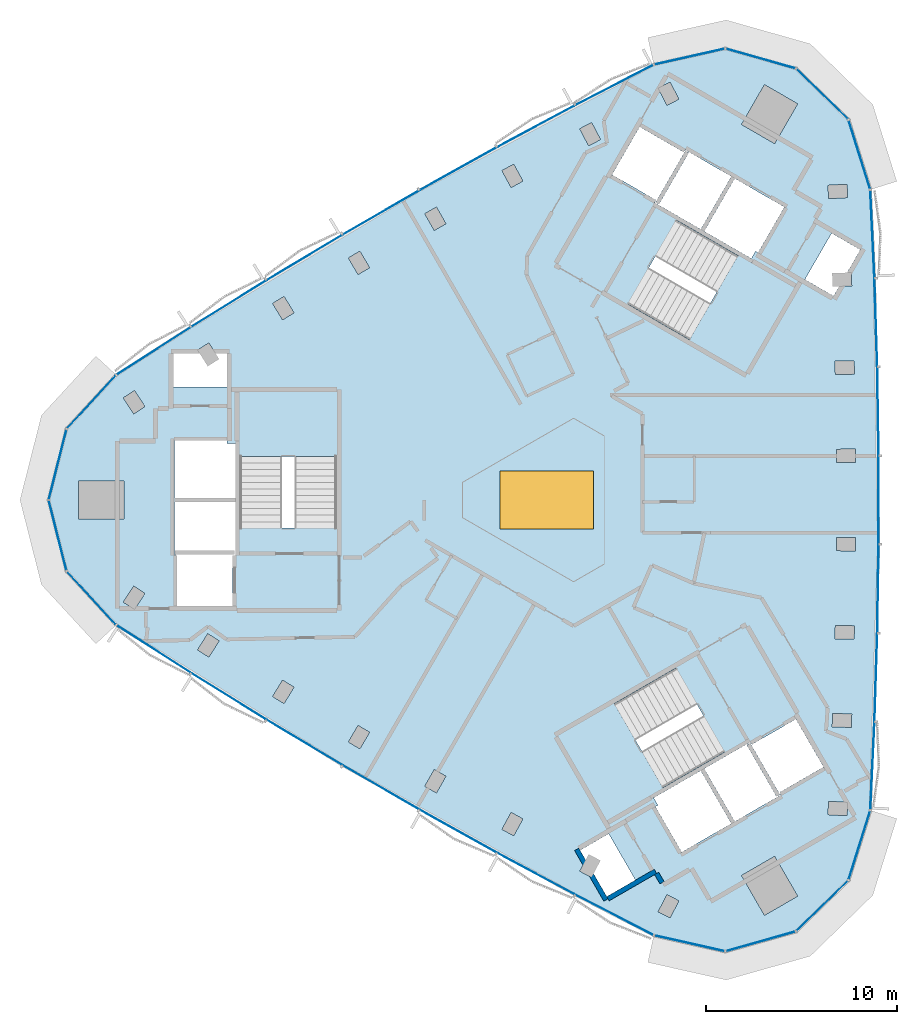
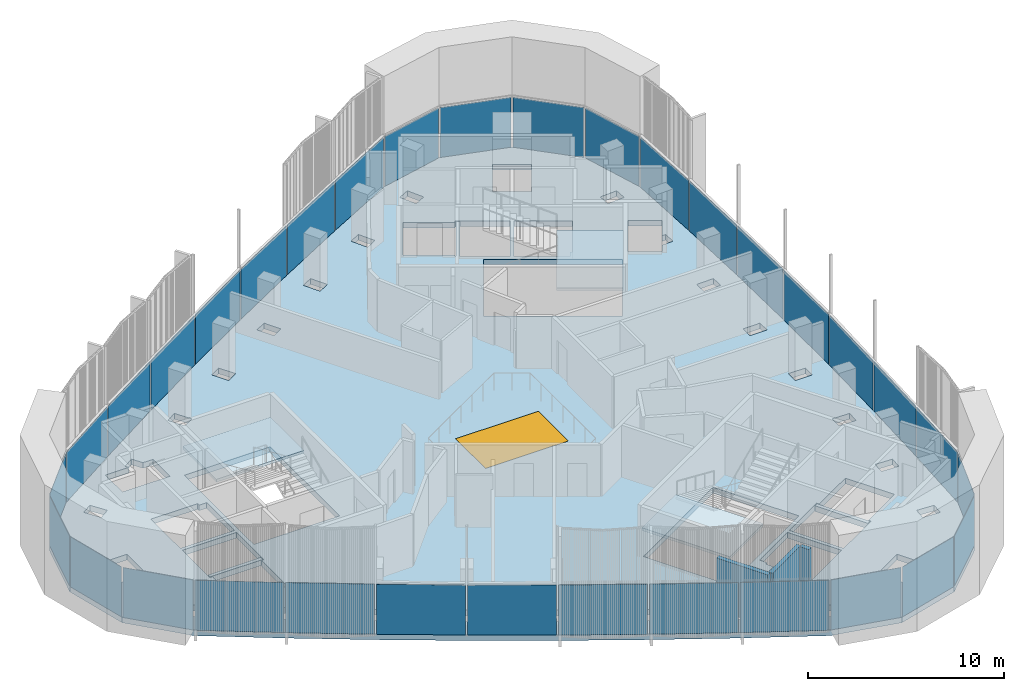
# One storey, part 5 of 12: 33 plates, 4 slabs, 3 walls, 1 window, 1 opening, 6 elements without a shape of their own.
"""IFC4 building model written with IfcOpenShell, lengths in metres."""

from ifc_helpers import new_model, si_unit, direction, frame, frame_2d, origin, origin_2d, place, context, subcontext, project, spatial, polyline, rectangle, outline, extrude, material, layer, layer_set, type_object, element, fill, aggregate, save


model = new_model("IFC4")

# Units and contexts
model_context = context("Model", 3, precision=1e-05, world=origin(), true_north=direction((0.0, 1.0)))
body_context = subcontext(model_context, "Body", "Model", "MODEL_VIEW")
ifc_project = project(units=[si_unit("LENGTHUNIT", "METRE"), si_unit("AREAUNIT", "SQUARE_METRE"), si_unit("VOLUMEUNIT", "CUBIC_METRE"), si_unit("PLANEANGLEUNIT", "RADIAN"), si_unit("MASSUNIT", "GRAM", prefix="KILO")], contexts=[model_context])

# Site, building, storey
site_placement = place(None, origin())
site = spatial("IfcSite", under=ifc_project, at=site_placement, CompositionType="ELEMENT")
building_placement = place(site_placement, origin())
building = spatial("IfcBuilding", under=site, at=building_placement, Name="Tamra Quay Hotel Tower", CompositionType="ELEMENT")
storey_placement = place(building_placement, frame((0.0, 0.0, 262.199951171875)))
storey = spatial("IfcBuildingStorey", under=building, at=storey_placement, Name="L66", CompositionType="ELEMENT", Elevation=262.199951171875)

# Stair, slab
ifc_material_1 = material(Name="Exit stair 2200 24 risers 150.0 going 342")
stair_type = type_object("IfcStairType", Name="Exit stair 2200 24 risers 150.0 going 342", PredefinedType="HALF_TURN_STAIR", material=ifc_material_1)
stair_1_placement = place(storey_placement, origin())
stair_1 = element("IfcStair", 1, at=stair_1_placement, inside=storey, type_object=stair_type, Name="L66 Exit stair ST3", PredefinedType="HALF_TURN_STAIR")
ifc_material_2 = material(Name="Concrete M70", Category="concrete")
ifc_layer_1 = layer(ifc_material_2, 0.175048828125)
ifc_layer_set_1 = layer_set([ifc_layer_1], Name="Concrete M70 stair landing 180")
slab_type_1 = type_object("IfcSlabType", Name="Concrete M70 stair landing 180", PredefinedType="LANDING", material=ifc_layer_set_1)
slab_1_placement = place(storey_placement, frame((0.0, 0.0, 1.625)))
slab_1 = element("IfcSlab", 2, at=slab_1_placement, type_object=slab_type_1, Name="ST3 landing 1", PredefinedType="LANDING", context=body_context, shape_type="SweptSolid", body=[
    extrude(outline(polyline([(-10.932373046875, 2.261962890625), (-10.932373046875, 5.679931640625), (-16.09130859375, 5.679931640625), (-16.09130859375, 2.261962890625), (-10.932373046875, 2.261962890625)])), origin(), (0.0, 0.0, 1.0), 0.175048828125),
])
aggregate(stair_1, [slab_1])

stair_2_placement = place(storey_placement, origin())
stair_2 = element("IfcStair", 3, at=stair_2_placement, inside=storey, type_object=stair_type, Name="L66 Exit stair ST1", PredefinedType="HALF_TURN_STAIR")
slab_2_placement = place(storey_placement, frame((0.0, 0.0, 1.625)))
slab_2 = element("IfcSlab", 4, at=slab_2_placement, type_object=slab_type_1, Name="ST1 landing 1", PredefinedType="LANDING", context=body_context, shape_type="SweptSolid", body=[
    extrude(outline(polyline([(7.425048828125, 8.336669921875), (10.385009765625, 6.627685546875), (12.964599609375, 11.095458984375), (10.00439453125, 12.804443359375), (7.425048828125, 8.336669921875)])), origin(), (0.0, 0.0, 1.0), 0.175048828125),
])
aggregate(stair_2, [slab_2])

stair_3_placement = place(storey_placement, origin())
stair_3 = element("IfcStair", 5, at=stair_3_placement, inside=storey, type_object=stair_type, Name="L66 Exit stair ST2", PredefinedType="HALF_TURN_STAIR")
slab_3_placement = place(storey_placement, frame((0.0, 0.0, 1.625)))
slab_3 = element("IfcSlab", 6, at=slab_3_placement, type_object=slab_type_1, Name="ST2 landing 1", PredefinedType="LANDING", context=body_context, shape_type="SweptSolid", body=[
    extrude(outline(polyline([(3.50732421875, -10.5986328125), (0.547119140625, -12.3076171875), (3.126708984375, -16.775390625), (6.086669921875, -15.06640625), (3.50732421875, -10.5986328125)])), origin(), (0.0, 0.0, 1.0), 0.175048828125),
])
aggregate(stair_3, [slab_3])

# Slab, opening, window
ifc_material_3 = material(Name="Concrete M60", Category="concrete")
ifc_layer_2 = layer(ifc_material_3, 0.35009765625)
ifc_layer_set_2 = layer_set([ifc_layer_2], Name="FLOOR SLAB PT 350")
slab_type_2 = type_object("IfcSlabType", Name="FLOOR SLAB PT 350", PredefinedType="FLOOR", material=ifc_layer_set_2)
slab_4_placement = place(storey_placement, frame((0.0, 0.0, -0.349853515625)))
slab_4 = element("IfcSlab", 7, at=slab_4_placement, inside=storey, type_object=slab_type_2, Name="SLAB-L66", PredefinedType="FLOOR", context=body_context, shape_type="SweptSolid", body=[
    extrude(outline(polyline([(17.116943359375, 11.580810546875), (17.26171875, 6.9501953125), (17.333984375, 2.31689453125), (17.333984375, -2.31689453125), (17.26171875, -6.9501953125), (17.116943359375, -11.580810546875), (16.89990234375, -16.210205078125), (15.757080078125, -19.865966796875), (13.01171875, -22.536865234375), (9.325927734375, -23.5791015625), (5.58837890625, -22.740966796875), (1.470947265625, -20.614013671875), (-2.61181640625, -18.42431640625), (-6.660400390625, -16.170166015625), (-10.673583984375, -13.853271484375), (-14.64990234375, -11.473876953125), (-18.587890625, -9.033203125), (-22.488525390625, -6.530517578125), (-25.0830078125, -3.712890625), (-26.0234375, 0.0), (-25.0830078125, 3.712890625), (-22.488525390625, 6.530517578125), (-18.587890625, 9.033203125), (-14.64990234375, 11.473876953125), (-10.673583984375, 13.853271484375), (-6.660400390625, 16.170166015625), (-2.61181640625, 18.42431640625), (1.470947265625, 20.614013671875), (5.58837890625, 22.740966796875), (9.325927734375, 23.5791015625), (13.01171875, 22.536865234375), (15.757080078125, 19.865966796875), (16.89990234375, 16.210205078125), (17.116943359375, 11.580810546875)]), holes=[polyline([(-10.3671875, -12.641357421875), (-9.763671875, -12.99609375), (-9.2568359375, -12.13427734375), (-9.8603515625, -11.779296875), (-10.3671875, -12.641357421875)]), polyline([(-14.324462890625, -10.26708984375), (-13.7265625, -10.63134765625), (-13.206298828125, -9.77734375), (-13.803955078125, -9.4130859375), (-14.324462890625, -10.26708984375)]), polyline([(-18.244140625, -7.831298828125), (-17.652099609375, -8.20458984375), (-17.118896484375, -7.358642578125), (-17.7109375, -6.9853515625), (-18.244140625, -7.831298828125)]), polyline([(-21.57861328125, -4.497314453125), (-22.125244140625, -5.33447265625), (-21.539306640625, -5.71728515625), (-20.992431640625, -4.880126953125), (-21.57861328125, -4.497314453125)]), polyline([(-16.3173828125, -2.85498046875), (-19.4072265625, -2.85498046875), (-19.4072265625, -2.89306640625), (-19.307373046875, -2.89306640625), (-19.307373046875, -5.544921875), (-16.417236328125, -5.544921875), (-16.417236328125, -2.89306640625), (-16.3173828125, -2.89306640625), (-16.3173828125, -2.85498046875)]), polyline([(-19.417236328125, -2.64501953125), (-16.307373046875, -2.64501953125), (-16.307373046875, -2.89306640625), (-16.26708984375, -2.89306640625), (-16.26708984375, -0.10498046875), (-19.45751953125, -0.10498046875), (-19.45751953125, -2.89306640625), (-19.417236328125, -2.89306640625), (-19.417236328125, -2.64501953125)]), polyline([(-24.473388671875, 1.0), (-24.473388671875, -1.0), (-22.073486328125, -1.0), (-22.073486328125, 1.0), (-24.473388671875, 1.0)]), polyline([(-16.707275390625, 2.945068359375), (-16.707275390625, 3.09521484375), (-19.45751953125, 3.09521484375), (-19.45751953125, 0.10498046875), (-16.26708984375, 0.10498046875), (-16.26708984375, 2.945068359375), (-16.707275390625, 2.945068359375)]), polyline([(-16.036376953125, -1.455078125), (-10.9873046875, -1.455078125), (-10.9873046875, 5.625), (-16.036376953125, 5.625), (-16.036376953125, -1.455078125)]), polyline([(-20.992431640625, 4.880126953125), (-21.539306640625, 5.71728515625), (-22.125244140625, 5.33447265625), (-21.57861328125, 4.497314453125), (-20.992431640625, 4.880126953125)]), polyline([(-17.29931640625, 7.64501953125), (-17.652099609375, 8.20458984375), (-18.244140625, 7.831298828125), (-18.126708984375, 7.64501953125), (-19.50732421875, 7.64501953125), (-19.50732421875, 5.9150390625), (-16.71728515625, 5.9150390625), (-16.71728515625, 7.64501953125), (-17.29931640625, 7.64501953125)]), polyline([(-13.7265625, 10.63134765625), (-14.324462890625, 10.26708984375), (-13.803955078125, 9.4130859375), (-13.206298828125, 9.77734375), (-13.7265625, 10.63134765625)]), polyline([(-9.2568359375, 12.13427734375), (-9.763671875, 12.99609375), (-10.3671875, 12.641357421875), (-9.8603515625, 11.779296875), (-9.2568359375, 12.13427734375)]), polyline([(6.27001953125, -20.6201171875), (5.818359375, -21.51220703125), (6.44287109375, -21.828369140625), (6.89453125, -20.936279296875), (6.27001953125, -20.6201171875)]), polyline([(1.73779296875, -18.300048828125), (2.02880859375, -18.80419921875), (1.720703125, -19.389404296875), (2.33984375, -19.715576171875), (2.442626953125, -19.520751953125), (3.1328125, -20.71630859375), (4.631103515625, -19.851318359375), (3.236083984375, -17.43505859375), (1.73779296875, -18.300048828125)]), polyline([(-1.864501953125, -16.32568359375), (-2.34375, -17.203369140625), (-1.7294921875, -17.538818359375), (-1.25, -16.6611328125), (-1.864501953125, -16.32568359375)]), polyline([(5.80322265625, -15.94140625), (5.673095703125, -16.0166015625), (7.04833984375, -18.398193359375), (9.6376953125, -16.903076171875), (8.042724609375, -14.14013671875), (5.5830078125, -15.560302734375), (5.80322265625, -15.94140625)]), polyline([(-5.880126953125, -14.083740234375), (-6.373291015625, -14.95361328125), (-5.764404296875, -15.298828125), (-5.271240234375, -14.428955078125), (-5.880126953125, -14.083740234375)]), polyline([(9.2783203125, -13.160400390625), (6.75390625, -8.78759765625), (0.622314453125, -12.32763671875), (3.146728515625, -16.7001953125), (9.2783203125, -13.160400390625)]), polyline([(4.2333984375, 10.242919921875), (10.364990234375, 6.702880859375), (12.889404296875, 11.075439453125), (6.758056640625, 14.615478515625), (4.2333984375, 10.242919921875)]), polyline([(-5.764404296875, 15.298828125), (-6.373291015625, 14.95361328125), (-5.880126953125, 14.083740234375), (-5.271240234375, 14.428955078125), (-5.764404296875, 15.298828125)]), polyline([(7.41796875, 18.138427734375), (5.863037109375, 15.445068359375), (5.648193359375, 15.569091796875), (5.628173828125, 15.5341796875), (8.04248046875, 14.140380859375), (9.6376953125, 16.903076171875), (7.22314453125, 18.297119140625), (7.203125, 18.262451171875), (7.41796875, 18.138427734375)]), polyline([(-1.25, 16.6611328125), (-1.7294921875, 17.538818359375), (-2.34375, 17.203369140625), (-1.864501953125, 16.32568359375), (-1.25, 16.6611328125)]), polyline([(5.68603515625, 15.55859375), (7.231201171875, 18.234619140625), (7.1982421875, 18.253662109375), (7.148193359375, 18.1669921875), (4.8515625, 19.4931640625), (3.406494140625, 16.990234375), (5.703125, 15.664306640625), (5.6533203125, 15.57763671875), (5.68603515625, 15.55859375)]), polyline([(2.33984375, 19.715576171875), (1.720703125, 19.389404296875), (2.186767578125, 18.504638671875), (2.805908203125, 18.830810546875), (2.33984375, 19.715576171875)]), polyline([(6.44287109375, 21.828369140625), (5.818359375, 21.51220703125), (6.27001953125, 20.6201171875), (6.89453125, 20.936279296875), (6.44287109375, 21.828369140625)]), polyline([(11.37060546875, -21.694580078125), (13.102783203125, -20.694580078125), (11.902587890625, -18.6162109375), (10.170654296875, -19.6162109375), (11.37060546875, -21.694580078125)]), polyline([(14.68408203125, -16.43896484375), (15.6826171875, -16.493896484375), (15.720947265625, -15.794921875), (14.722412109375, -15.739990234375), (14.68408203125, -16.43896484375)]), polyline([(12.214111328125, -15.369384765625), (11.999267578125, -15.493408203125), (10.4443359375, -12.800048828125), (10.6591796875, -12.676025390625), (10.63916015625, -12.64111328125), (8.224609375, -14.03515625), (9.819580078125, -16.798095703125), (12.234130859375, -15.404052734375), (12.214111328125, -15.369384765625)]), polyline([(12.176025390625, -15.379638671875), (12.208984375, -15.360595703125), (12.1591796875, -15.274169921875), (14.455810546875, -13.947998046875), (13.0107421875, -11.4453125), (10.714111328125, -12.771240234375), (10.6640625, -12.6845703125), (10.631103515625, -12.70361328125), (12.176025390625, -15.379638671875)]), polyline([(15.904296875, -11.88427734375), (15.931396484375, -11.184814453125), (14.93212890625, -11.14599609375), (14.905029296875, -11.845703125), (15.904296875, -11.88427734375)]), polyline([(16.0537109375, -7.271728515625), (16.0703125, -6.572021484375), (15.070556640625, -6.548095703125), (15.053955078125, -7.247802734375), (16.0537109375, -7.271728515625)]), polyline([(15.13134765625, -2.6494140625), (16.13134765625, -2.657470703125), (16.136962890625, -1.95751953125), (15.136962890625, -1.94970703125), (15.13134765625, -2.6494140625)]), polyline([(15.136962890625, 1.94970703125), (16.136962890625, 1.95751953125), (16.13134765625, 2.657470703125), (15.13134765625, 2.6494140625), (15.136962890625, 1.94970703125)]), polyline([(16.0703125, 6.572021484375), (16.0537109375, 7.271728515625), (15.053955078125, 7.247802734375), (15.070556640625, 6.548095703125), (16.0703125, 6.572021484375)]), polyline([(13.481201171875, 11.52001953125), (14.9794921875, 10.655029296875), (15.2705078125, 11.1591796875), (15.931396484375, 11.184814453125), (15.904296875, 11.88427734375), (15.68408203125, 11.875732421875), (16.37451171875, 13.0712890625), (14.876220703125, 13.936279296875), (13.481201171875, 11.52001953125)]), polyline([(10.904052734375, 12.996337890625), (11.0341796875, 12.92138671875), (12.4091796875, 15.302978515625), (9.819580078125, 16.798095703125), (8.224365234375, 14.035400390625), (10.68408203125, 12.615234375), (10.904052734375, 12.996337890625)]), polyline([(14.722412109375, 15.739990234375), (15.720947265625, 15.794921875), (15.6826171875, 16.493896484375), (14.68408203125, 16.43896484375), (14.722412109375, 15.739990234375)]), polyline([(11.902587890625, 18.6162109375), (13.102783203125, 20.694580078125), (11.37060546875, 21.694580078125), (10.170654296875, 19.6162109375), (11.902587890625, 18.6162109375)])]), origin(), (0.0, 0.0, 1.0), 0.349853515625),
])
opening_placement = place(slab_4_placement, origin())
opening = element("IfcOpeningElement", 8, at=opening_placement, cuts=slab_4, Name="Opening SK1-4880", PredefinedType="OPENING", context=body_context, shape_type="SweptSolid", body=[
    extrude(rectangle(XDim=4.8798828125, YDim=3.0400390625, at=origin_2d()), origin(), (0.0, 0.0, 1.0), 0.349853515625),
])
ifc_material_4 = material(Name="Fire-rated laminated glass in steel frame", Category="steel")
window_type = type_object("IfcWindowType", Name="ATRIUM SKYLIGHT 4880X3040", PartitioningType="SINGLE_PANEL", PredefinedType="SKYLIGHT", material=ifc_material_4)
window_placement = place(opening_placement, frame((0.0, 0.0, 0.2998046875)))
window = element("IfcWindow", 9, at=window_placement, inside=storey, type_object=window_type, Name="SK1-4880", OverallHeight=3.0400390625, OverallWidth=4.8798828125, PartitioningType="SINGLE_PANEL", PredefinedType="SKYLIGHT", context=body_context, shape_type="SweptSolid", body=[
    extrude(rectangle(XDim=4.8798828125, YDim=3.0400390625, at=origin_2d()), origin(), (0.0, 0.0, 1.0), 0.050048828125),
])
fill(opening, window)

# Curtain wall, plates
ifc_material_5 = material(Name="Aluminium 6063 anodised dark grey", Category="aluminium")
curtain_wall_type_1 = type_object("IfcCurtainWallType", Name="CW1 CURTAIN WALL", PredefinedType="NOTDEFINED", material=ifc_material_5)
curtain_wall_1_placement = place(storey_placement, origin())
curtain_wall_1 = element("IfcCurtainWall", 10, at=curtain_wall_1_placement, inside=storey, type_object=curtain_wall_type_1, Name="CW1 east face L66", PredefinedType="NOTDEFINED")
ifc_material_6 = material(Name="Glass clear laminated low-iron", Category="glass")
ifc_layer_3 = layer(ifc_material_6, 0.02587890625)
ifc_layer_set_3 = layer_set([ifc_layer_3], Name="GLASS PANEL CW1 Z6")
plate_type_1 = type_object("IfcPlateType", Name="GLASS PANEL CW1 Z6", PredefinedType="CURTAIN_PANEL", material=ifc_layer_set_3)
plate_1_placement = place(storey_placement, frame((17.00830078125, -13.8955078125, 0.0), z_axis=(0.0, 0.0, 1.0), x_axis=(0.04682126455, 0.998903283199, 0.0)))
plate_1 = element("IfcPlate", 11, at=plate_1_placement, type_object=plate_type_1, Name="CW1 glass L66.E.1", PredefinedType="CURTAIN_PANEL", context=body_context, shape_type="SweptSolid", body=[
    extrude(rectangle(XDim=4.534423828125, YDim=0.02587890625, at=origin_2d()), origin(), (0.0, 0.0, 1.0), 3.110107421875),
])
plate_2_placement = place(storey_placement, frame((17.189208984375, -9.265625, 0.0), z_axis=(0.0, 0.0, 1.0), x_axis=(0.031241804319, 0.999511855689, 0.0)))
plate_2 = element("IfcPlate", 12, at=plate_2_placement, type_object=plate_type_1, Name="CW1 glass L66.E.2", PredefinedType="CURTAIN_PANEL", context=body_context, shape_type="SweptSolid", body=[
    extrude(rectangle(XDim=4.532958984375, YDim=0.02587890625, at=origin_2d()), origin(), (0.0, 0.0, 1.0), 3.110107421875),
])
plate_3_placement = place(storey_placement, frame((17.2978515625, -4.633544921875, 0.0), z_axis=(0.0, 0.0, 1.0), x_axis=(0.01563239478, 0.999877806651, 0.0)))
plate_3 = element("IfcPlate", 13, at=plate_3_placement, type_object=plate_type_1, Name="CW1 glass L66.E.3", PredefinedType="CURTAIN_PANEL", context=body_context, shape_type="SweptSolid", body=[
    extrude(rectangle(XDim=4.533935546875, YDim=0.02587890625, at=origin_2d()), origin(), (0.0, 0.0, 1.0), 3.110107421875),
])
plate_4_placement = place(storey_placement, frame((17.333984375, 0.0, 0.0), z_axis=(0.0, 0.0, 1.0), x_axis=(0.0, 1.0, 0.0)))
plate_4 = element("IfcPlate", 14, at=plate_4_placement, type_object=plate_type_1, Name="CW1 glass L66.E.4", PredefinedType="CURTAIN_PANEL", context=body_context, shape_type="SweptSolid", body=[
    extrude(rectangle(XDim=4.533935546875, YDim=0.02587890625, at=origin_2d()), origin(), (0.0, 0.0, 1.0), 3.110107421875),
])
plate_5_placement = place(storey_placement, frame((17.2978515625, 4.633544921875, 0.0), z_axis=(0.0, 0.0, 1.0), x_axis=(-0.01563239478, 0.999877806651, 0.0)))
plate_5 = element("IfcPlate", 15, at=plate_5_placement, type_object=plate_type_1, Name="CW1 glass L66.E.5", PredefinedType="CURTAIN_PANEL", context=body_context, shape_type="SweptSolid", body=[
    extrude(rectangle(XDim=4.533935546875, YDim=0.02587890625, at=origin_2d()), origin(), (0.0, 0.0, 1.0), 3.110107421875),
])
plate_6_placement = place(storey_placement, frame((17.189208984375, 9.265625, 0.0), z_axis=(0.0, 0.0, 1.0), x_axis=(-0.031241804319, 0.999511855689, 0.0)))
plate_6 = element("IfcPlate", 16, at=plate_6_placement, type_object=plate_type_1, Name="CW1 glass L66.E.6", PredefinedType="CURTAIN_PANEL", context=body_context, shape_type="SweptSolid", body=[
    extrude(rectangle(XDim=4.532958984375, YDim=0.02587890625, at=origin_2d()), origin(), (0.0, 0.0, 1.0), 3.110107421875),
])
plate_7_placement = place(storey_placement, frame((17.00830078125, 13.8955078125, 0.0), z_axis=(0.0, 0.0, 1.0), x_axis=(-0.04682126455, 0.998903283199, 0.0)))
plate_7 = element("IfcPlate", 17, at=plate_7_placement, type_object=plate_type_1, Name="CW1 glass L66.E.7", PredefinedType="CURTAIN_PANEL", context=body_context, shape_type="SweptSolid", body=[
    extrude(rectangle(XDim=4.534423828125, YDim=0.02587890625, at=origin_2d()), origin(), (0.0, 0.0, 1.0), 3.110107421875),
])
plate_8_placement = place(storey_placement, frame((16.328369140625, 18.0380859375, 0.0), z_axis=(0.0, 0.0, 1.0), x_axis=(-0.29839239288, 0.954443282689, 0.0)))
plate_8 = element("IfcPlate", 18, at=plate_8_placement, type_object=plate_type_1, Name="CW1 glass L66.E.8", PredefinedType="CURTAIN_PANEL", context=body_context, shape_type="SweptSolid", body=[
    extrude(rectangle(XDim=3.730224609375, YDim=0.02587890625, at=origin_2d()), origin(), (0.0, 0.0, 1.0), 3.110107421875),
])
plate_9_placement = place(storey_placement, frame((14.38427734375, 21.201416015625, 0.0), z_axis=(0.0, 0.0, 1.0), x_axis=(-0.716752699854, 0.69732744622, 0.0)))
plate_9 = element("IfcPlate", 19, at=plate_9_placement, type_object=plate_type_1, Name="CW1 glass L66.E.9", PredefinedType="CURTAIN_PANEL", context=body_context, shape_type="SweptSolid", body=[
    extrude(rectangle(XDim=3.730224609375, YDim=0.02587890625, at=origin_2d()), origin(), (0.0, 0.0, 1.0), 3.110107421875),
])
plate_10_placement = place(storey_placement, frame((11.168701171875, 23.057861328125, 0.0), z_axis=(0.0, 0.0, 1.0), x_axis=(-0.96227963311, 0.272062323195, 0.0)))
plate_10 = element("IfcPlate", 20, at=plate_10_placement, type_object=plate_type_1, Name="CW1 glass L66.E.10", PredefinedType="CURTAIN_PANEL", context=body_context, shape_type="SweptSolid", body=[
    extrude(rectangle(XDim=3.730224609375, YDim=0.02587890625, at=origin_2d()), origin(), (0.0, 0.0, 1.0), 3.110107421875),
])
plate_11_placement = place(storey_placement, frame((7.457275390625, 23.159912109375, 0.0), z_axis=(0.0, 0.0, 1.0), x_axis=(-0.975768325721, -0.218806248814, 0.0)))
plate_11 = element("IfcPlate", 21, at=plate_11_placement, type_object=plate_type_1, Name="CW1 glass L66.E.11", PredefinedType="CURTAIN_PANEL", context=body_context, shape_type="SweptSolid", body=[
    extrude(rectangle(XDim=3.730224609375, YDim=0.02587890625, at=origin_2d()), origin(), (0.0, 0.0, 1.0), 3.110107421875),
])
aggregate(curtain_wall_1, [plate_1, plate_2, plate_3, plate_4, plate_5, plate_6, plate_7, plate_8, plate_9, plate_10, plate_11])

curtain_wall_type_2 = type_object("IfcCurtainWallType", Name="CW2 CURTAIN WALL", PredefinedType="NOTDEFINED", material=ifc_material_5)
curtain_wall_2_placement = place(storey_placement, origin())
curtain_wall_2 = element("IfcCurtainWall", 22, at=curtain_wall_2_placement, inside=storey, type_object=curtain_wall_type_2, Name="CW2 north-west face L66", PredefinedType="NOTDEFINED")
ifc_layer_4 = layer(ifc_material_6, 0.02587890625)
ifc_layer_set_4 = layer_set([ifc_layer_4], Name="GLASS PANEL CW2 Z6")
plate_type_2 = type_object("IfcPlateType", Name="GLASS PANEL CW2 Z6", PredefinedType="CURTAIN_PANEL", material=ifc_layer_set_4)
plate_12_placement = place(storey_placement, frame((3.52978515625, 21.677490234375, 0.0), z_axis=(0.0, 0.0, 1.0), x_axis=(-0.888486251449, -0.458903237062, 0.0)))
plate_12 = element("IfcPlate", 23, at=plate_12_placement, type_object=plate_type_2, Name="CW2 glass L66.NW.1", PredefinedType="CURTAIN_PANEL", context=body_context, shape_type="SweptSolid", body=[
    extrude(rectangle(XDim=4.534423828125, YDim=0.02587890625, at=origin_2d()), origin(), (0.0, 0.0, 1.0), 3.110107421875),
])
plate_13_placement = place(storey_placement, frame((-0.5703125, 19.51904296875, 0.0), z_axis=(0.0, 0.0, 1.0), x_axis=(-0.88122356057, -0.472699731644, 0.0)))
plate_13 = element("IfcPlate", 24, at=plate_13_placement, type_object=plate_type_2, Name="CW2 glass L66.NW.2", PredefinedType="CURTAIN_PANEL", context=body_context, shape_type="SweptSolid", body=[
    extrude(rectangle(XDim=4.532958984375, YDim=0.02587890625, at=origin_2d()), origin(), (0.0, 0.0, 1.0), 3.110107421875),
])
plate_14_placement = place(storey_placement, frame((-4.635986328125, 17.297119140625, 0.0), z_axis=(0.0, 0.0, 1.0), x_axis=(-0.87373577863, -0.486400852324, 0.0)))
plate_14 = element("IfcPlate", 25, at=plate_14_placement, type_object=plate_type_2, Name="CW2 glass L66.NW.3", PredefinedType="CURTAIN_PANEL", context=body_context, shape_type="SweptSolid", body=[
    extrude(rectangle(XDim=4.533935546875, YDim=0.02587890625, at=origin_2d()), origin(), (0.0, 0.0, 1.0), 3.110107421875),
])
plate_15_placement = place(storey_placement, frame((-8.6669921875, 15.01171875, 0.0), z_axis=(0.0, 0.0, 1.0), x_axis=(-0.866025403784, -0.5, 0.0)))
plate_15 = element("IfcPlate", 26, at=plate_15_placement, type_object=plate_type_2, Name="CW2 glass L66.NW.4", PredefinedType="CURTAIN_PANEL", context=body_context, shape_type="SweptSolid", body=[
    extrude(rectangle(XDim=4.533935546875, YDim=0.02587890625, at=origin_2d()), origin(), (0.0, 0.0, 1.0), 3.110107421875),
])
plate_16_placement = place(storey_placement, frame((-12.661865234375, 12.66357421875, 0.0), z_axis=(0.0, 0.0, 1.0), x_axis=(-0.85810338385, -0.513476954327, 0.0)))
plate_16 = element("IfcPlate", 27, at=plate_16_placement, type_object=plate_type_2, Name="CW2 glass L66.NW.5", PredefinedType="CURTAIN_PANEL", context=body_context, shape_type="SweptSolid", body=[
    extrude(rectangle(XDim=4.533935546875, YDim=0.02587890625, at=origin_2d()), origin(), (0.0, 0.0, 1.0), 3.110107421875),
])
plate_17_placement = place(storey_placement, frame((-16.618896484375, 10.25341796875, 0.0), z_axis=(0.0, 0.0, 1.0), x_axis=(-0.849981756251, -0.526812124045, 0.0)))
plate_17 = element("IfcPlate", 28, at=plate_17_placement, type_object=plate_type_2, Name="CW2 glass L66.NW.6", PredefinedType="CURTAIN_PANEL", context=body_context, shape_type="SweptSolid", body=[
    extrude(rectangle(XDim=4.532958984375, YDim=0.02587890625, at=origin_2d()), origin(), (0.0, 0.0, 1.0), 3.110107421875),
])
plate_18_placement = place(storey_placement, frame((-20.5380859375, 7.781982421875, 0.0), z_axis=(0.0, 0.0, 1.0), x_axis=(-0.841664986899, -0.540000046137, 0.0)))
plate_18 = element("IfcPlate", 29, at=plate_18_placement, type_object=plate_type_2, Name="CW2 glass L66.NW.7", PredefinedType="CURTAIN_PANEL", context=body_context, shape_type="SweptSolid", body=[
    extrude(rectangle(XDim=4.534423828125, YDim=0.02587890625, at=origin_2d()), origin(), (0.0, 0.0, 1.0), 3.110107421875),
])
plate_19_placement = place(storey_placement, frame((-23.78564453125, 5.121826171875, 0.0), z_axis=(0.0, 0.0, 1.0), x_axis=(-0.67737593284, -0.735637033875, 0.0)))
plate_19 = element("IfcPlate", 30, at=plate_19_placement, type_object=plate_type_2, Name="CW2 glass L66.NW.8", PredefinedType="CURTAIN_PANEL", context=body_context, shape_type="SweptSolid", body=[
    extrude(rectangle(XDim=3.730224609375, YDim=0.02587890625, at=origin_2d()), origin(), (0.0, 0.0, 1.0), 3.110107421875),
])
plate_20_placement = place(storey_placement, frame((-25.55322265625, 1.8564453125, 0.0), z_axis=(0.0, 0.0, 1.0), x_axis=(-0.245526933255, -0.969389769415, 0.0)))
plate_20 = element("IfcPlate", 31, at=plate_20_placement, type_object=plate_type_2, Name="CW2 glass L66.NW.9", PredefinedType="CURTAIN_PANEL", context=body_context, shape_type="SweptSolid", body=[
    extrude(rectangle(XDim=3.730224609375, YDim=0.02587890625, at=origin_2d()), origin(), (0.0, 0.0, 1.0), 3.110107421875),
])
plate_21_placement = place(storey_placement, frame((-25.55322265625, -1.8564453125, 0.0), z_axis=(0.0, 0.0, 1.0), x_axis=(0.245526933255, -0.969389769415, 0.0)))
plate_21 = element("IfcPlate", 32, at=plate_21_placement, type_object=plate_type_2, Name="CW2 glass L66.NW.10", PredefinedType="CURTAIN_PANEL", context=body_context, shape_type="SweptSolid", body=[
    extrude(rectangle(XDim=3.730224609375, YDim=0.02587890625, at=origin_2d()), origin(), (0.0, 0.0, 1.0), 3.110107421875),
])
plate_22_placement = place(storey_placement, frame((-23.78564453125, -5.121826171875, 0.0), z_axis=(0.0, 0.0, 1.0), x_axis=(0.67737593284, -0.735637033875, 0.0)))
plate_22 = element("IfcPlate", 33, at=plate_22_placement, type_object=plate_type_2, Name="CW2 glass L66.NW.11", PredefinedType="CURTAIN_PANEL", context=body_context, shape_type="SweptSolid", body=[
    extrude(rectangle(XDim=3.730224609375, YDim=0.02587890625, at=origin_2d()), origin(), (0.0, 0.0, 1.0), 3.110107421875),
])
aggregate(curtain_wall_2, [plate_12, plate_13, plate_14, plate_15, plate_16, plate_17, plate_18, plate_19, plate_20, plate_21, plate_22])

curtain_wall_type_3 = type_object("IfcCurtainWallType", Name="CW3 CURTAIN WALL", PredefinedType="NOTDEFINED", material=ifc_material_5)
curtain_wall_3_placement = place(storey_placement, origin())
curtain_wall_3 = element("IfcCurtainWall", 34, at=curtain_wall_3_placement, inside=storey, type_object=curtain_wall_type_3, Name="CW3 south-west face L66", PredefinedType="NOTDEFINED")
ifc_layer_5 = layer(ifc_material_6, 0.02587890625)
ifc_layer_set_5 = layer_set([ifc_layer_5], Name="GLASS PANEL CW3 Z6")
plate_type_3 = type_object("IfcPlateType", Name="GLASS PANEL CW3 Z6", PredefinedType="CURTAIN_PANEL", material=ifc_layer_set_5)
plate_23_placement = place(storey_placement, frame((-20.5380859375, -7.781982421875, 0.0), z_axis=(0.0, 0.0, 1.0), x_axis=(0.841664986899, -0.540000046137, 0.0)))
plate_23 = element("IfcPlate", 35, at=plate_23_placement, type_object=plate_type_3, Name="CW3 glass L66.SW.1", PredefinedType="CURTAIN_PANEL", context=body_context, shape_type="SweptSolid", body=[
    extrude(rectangle(XDim=4.534423828125, YDim=0.02587890625, at=origin_2d()), origin(), (0.0, 0.0, 1.0), 3.110107421875),
])
plate_24_placement = place(storey_placement, frame((-16.618896484375, -10.25341796875, 0.0), z_axis=(0.0, 0.0, 1.0), x_axis=(0.849981756251, -0.526812124045, 0.0)))
plate_24 = element("IfcPlate", 36, at=plate_24_placement, type_object=plate_type_3, Name="CW3 glass L66.SW.2", PredefinedType="CURTAIN_PANEL", context=body_context, shape_type="SweptSolid", body=[
    extrude(rectangle(XDim=4.532958984375, YDim=0.02587890625, at=origin_2d()), origin(), (0.0, 0.0, 1.0), 3.110107421875),
])
plate_25_placement = place(storey_placement, frame((-12.661865234375, -12.66357421875, 0.0), z_axis=(0.0, 0.0, 1.0), x_axis=(0.85810338385, -0.513476954327, 0.0)))
plate_25 = element("IfcPlate", 37, at=plate_25_placement, type_object=plate_type_3, Name="CW3 glass L66.SW.3", PredefinedType="CURTAIN_PANEL", context=body_context, shape_type="SweptSolid", body=[
    extrude(rectangle(XDim=4.533935546875, YDim=0.02587890625, at=origin_2d()), origin(), (0.0, 0.0, 1.0), 3.110107421875),
])
plate_26_placement = place(storey_placement, frame((-8.6669921875, -15.01171875, 0.0), z_axis=(0.0, 0.0, 1.0), x_axis=(0.866025403784, -0.5, 0.0)))
plate_26 = element("IfcPlate", 38, at=plate_26_placement, type_object=plate_type_3, Name="CW3 glass L66.SW.4", PredefinedType="CURTAIN_PANEL", context=body_context, shape_type="SweptSolid", body=[
    extrude(rectangle(XDim=4.533935546875, YDim=0.02587890625, at=origin_2d()), origin(), (0.0, 0.0, 1.0), 3.110107421875),
])
plate_27_placement = place(storey_placement, frame((-4.635986328125, -17.297119140625, 0.0), z_axis=(0.0, 0.0, 1.0), x_axis=(0.87373577863, -0.486400852324, 0.0)))
plate_27 = element("IfcPlate", 39, at=plate_27_placement, type_object=plate_type_3, Name="CW3 glass L66.SW.5", PredefinedType="CURTAIN_PANEL", context=body_context, shape_type="SweptSolid", body=[
    extrude(rectangle(XDim=4.533935546875, YDim=0.02587890625, at=origin_2d()), origin(), (0.0, 0.0, 1.0), 3.110107421875),
])
plate_28_placement = place(storey_placement, frame((-0.5703125, -19.51904296875, 0.0), z_axis=(0.0, 0.0, 1.0), x_axis=(0.88122356057, -0.472699731644, 0.0)))
plate_28 = element("IfcPlate", 40, at=plate_28_placement, type_object=plate_type_3, Name="CW3 glass L66.SW.6", PredefinedType="CURTAIN_PANEL", context=body_context, shape_type="SweptSolid", body=[
    extrude(rectangle(XDim=4.532958984375, YDim=0.02587890625, at=origin_2d()), origin(), (0.0, 0.0, 1.0), 3.110107421875),
])
plate_29_placement = place(storey_placement, frame((3.52978515625, -21.677490234375, 0.0), z_axis=(0.0, 0.0, 1.0), x_axis=(0.888486251449, -0.458903237062, 0.0)))
plate_29 = element("IfcPlate", 41, at=plate_29_placement, type_object=plate_type_3, Name="CW3 glass L66.SW.7", PredefinedType="CURTAIN_PANEL", context=body_context, shape_type="SweptSolid", body=[
    extrude(rectangle(XDim=4.534423828125, YDim=0.02587890625, at=origin_2d()), origin(), (0.0, 0.0, 1.0), 3.110107421875),
])
plate_30_placement = place(storey_placement, frame((7.457275390625, -23.159912109375, 0.0), z_axis=(0.0, 0.0, 1.0), x_axis=(0.975768325721, -0.218806248814, 0.0)))
plate_30 = element("IfcPlate", 42, at=plate_30_placement, type_object=plate_type_3, Name="CW3 glass L66.SW.8", PredefinedType="CURTAIN_PANEL", context=body_context, shape_type="SweptSolid", body=[
    extrude(rectangle(XDim=3.730224609375, YDim=0.02587890625, at=origin_2d()), origin(), (0.0, 0.0, 1.0), 3.110107421875),
])
plate_31_placement = place(storey_placement, frame((11.168701171875, -23.057861328125, 0.0), z_axis=(0.0, 0.0, 1.0), x_axis=(0.96227963311, 0.272062323195, 0.0)))
plate_31 = element("IfcPlate", 43, at=plate_31_placement, type_object=plate_type_3, Name="CW3 glass L66.SW.9", PredefinedType="CURTAIN_PANEL", context=body_context, shape_type="SweptSolid", body=[
    extrude(rectangle(XDim=3.730224609375, YDim=0.02587890625, at=origin_2d()), origin(), (0.0, 0.0, 1.0), 3.110107421875),
])
plate_32_placement = place(storey_placement, frame((14.38427734375, -21.201416015625, 0.0), z_axis=(0.0, 0.0, 1.0), x_axis=(0.716752699854, 0.69732744622, 0.0)))
plate_32 = element("IfcPlate", 44, at=plate_32_placement, type_object=plate_type_3, Name="CW3 glass L66.SW.10", PredefinedType="CURTAIN_PANEL", context=body_context, shape_type="SweptSolid", body=[
    extrude(rectangle(XDim=3.730224609375, YDim=0.02587890625, at=origin_2d()), origin(), (0.0, 0.0, 1.0), 3.110107421875),
])
plate_33_placement = place(storey_placement, frame((16.328369140625, -18.0380859375, 0.0), z_axis=(0.0, 0.0, 1.0), x_axis=(0.29839239288, 0.954443282689, 0.0)))
plate_33 = element("IfcPlate", 45, at=plate_33_placement, type_object=plate_type_3, Name="CW3 glass L66.SW.11", PredefinedType="CURTAIN_PANEL", context=body_context, shape_type="SweptSolid", body=[
    extrude(rectangle(XDim=3.730224609375, YDim=0.02587890625, at=origin_2d()), origin(), (0.0, 0.0, 1.0), 3.110107421875),
])
aggregate(curtain_wall_3, [plate_23, plate_24, plate_25, plate_26, plate_27, plate_28, plate_29, plate_30, plate_31, plate_32, plate_33])

# Walls
ifc_layer_6 = layer(ifc_material_2, 0.25)
ifc_layer_set_6 = layer_set([ifc_layer_6], Name="Concrete M70 core wall 250")
wall_type = type_object("IfcWallType", Name="Concrete M70 core wall 250", PredefinedType="SHEAR", material=ifc_layer_set_6)
wall_1_placement = place(storey_placement, frame((3.085205078125, -20.893798828125, 0.0), z_axis=(0.0, 0.0, 1.0), x_axis=(-0.499978833458, 0.866037623948, 0.0)))
element("IfcWall", 46, at=wall_1_placement, inside=storey, type_object=wall_type, Name="CW1", PredefinedType="SHEAR", context=body_context, shape_type="SweptSolid", body=[
    extrude(rectangle(XDim=3.050048828125, YDim=0.25, at=frame_2d((1.52490234375, 0.0))), origin(), (0.0, 0.0, 1.0), 3.25),
])
wall_2_placement = place(storey_placement, frame((5.6748046875, -19.39892578125, 0.0), z_axis=(0.0, 0.0, 1.0), x_axis=(-0.866026637627, -0.499997862916, 0.0)))
element("IfcWall", 47, at=wall_2_placement, inside=storey, type_object=wall_type, Name="CW1", PredefinedType="SHEAR", context=body_context, shape_type="SweptSolid", body=[
    extrude(rectangle(XDim=2.86474609375, YDim=0.25, at=frame_2d((1.432373046875, 0.0))), origin(), (0.0, 0.0, 1.0), 3.25),
])
wall_3_placement = place(storey_placement, frame((6.01708984375, -19.99169921875, 0.0), z_axis=(0.0, 0.0, 1.0), x_axis=(-0.500364886717, 0.865814633822, 0.0)))
element("IfcWall", 48, at=wall_3_placement, inside=storey, type_object=wall_type, Name="CW1", PredefinedType="SHEAR", context=body_context, shape_type="SweptSolid", body=[
    extrude(rectangle(XDim=0.55908203125, YDim=0.25, at=frame_2d((0.279541015625, 0.0))), origin(), (0.0, 0.0, 1.0), 3.25),
])

save(model, "model.ifc")
